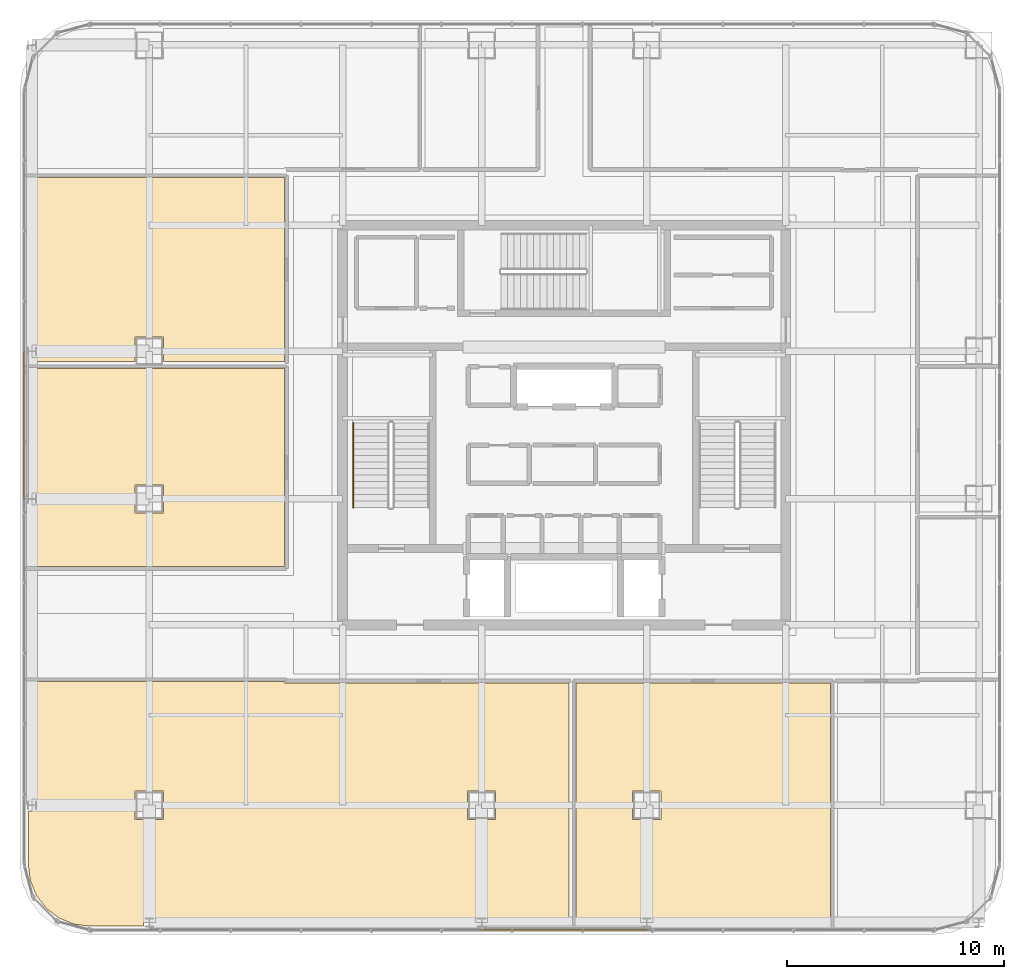
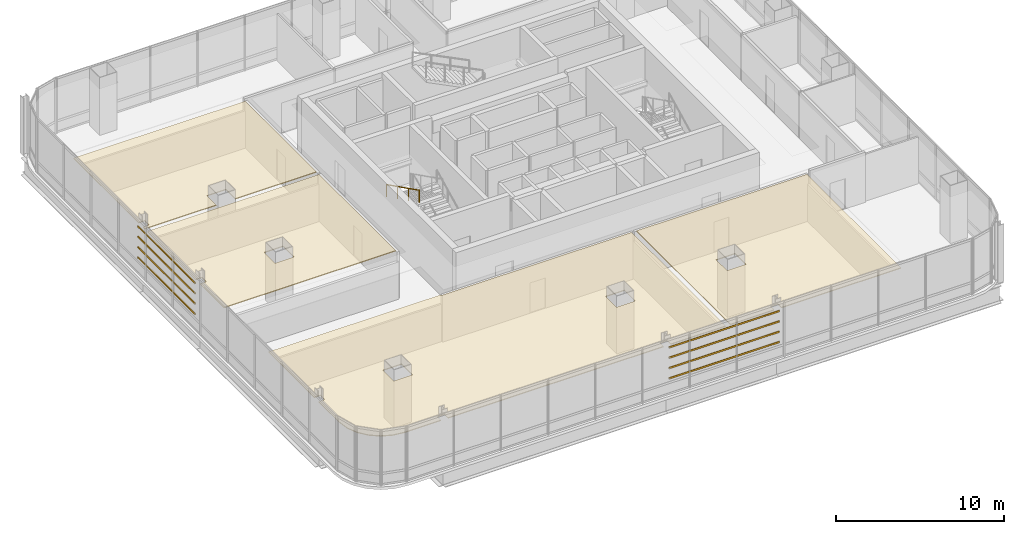
# One storey, part 39 of 43: 8 shading devices, 4 coverings, 1 railing.
"""IFC4 building model written with IfcOpenShell, lengths in metres."""

from ifc_helpers import new_model, si_unit, direction, frame, origin, origin_2d, place, context, subcontext, project, spatial, polyline, hollow_rectangle, circle, outline, extrude, material, layer, layer_set, material_profile, profile_set, type_object, element, save


model = new_model("IFC4")

# Units and contexts
model_context = context("Model", 3, precision=1e-05, world=origin(), true_north=direction((0.0, 1.0)))
body_context = subcontext(model_context, "Body", "Model", "MODEL_VIEW")
ifc_project = project(units=[si_unit("LENGTHUNIT", "METRE"), si_unit("AREAUNIT", "SQUARE_METRE"), si_unit("VOLUMEUNIT", "CUBIC_METRE"), si_unit("PLANEANGLEUNIT", "RADIAN"), si_unit("MASSUNIT", "GRAM", prefix="KILO")], contexts=[model_context])

# Site, building, storey
site_placement = place(None, origin())
site = spatial("IfcSite", under=ifc_project, at=site_placement, CompositionType="ELEMENT")
building_placement = place(site_placement, origin())
building = spatial("IfcBuilding", under=site, at=building_placement, Name="Punatoya Terracotta Tower", CompositionType="ELEMENT")
storey_placement = place(building_placement, frame((0.0, 0.0, 321.60009765625)))
storey = spatial("IfcBuildingStorey", under=building, at=storey_placement, Name="L76", CompositionType="ELEMENT", Elevation=321.60009765625)

# Coverings
ifc_material_1 = material(Name="Acoustic Mineral Fibre Ceiling")
ifc_layer = layer(ifc_material_1, 0.06005859375)
ifc_layer_set = layer_set([ifc_layer], Name="Acoustic Mineral Fibre Ceiling")
covering_type = type_object("IfcCoveringType", Name="COV-CEIL-60", PredefinedType="CEILING", material=ifc_layer_set)
covering_1_placement = place(storey_placement, frame((0.0, 0.0, 3.389892578125)))
element("IfcCovering", 1, at=covering_1_placement, inside=storey, type_object=covering_type, Name="L76 Open Workplace Studio Acoustic Ceiling", PredefinedType="CEILING", context=body_context, shape_type="SweptSolid", body=[
    extrude(outline(polyline([(3.547119140625, -22.64208984375), (4.052978515625, -22.64208984375), (4.052978515625, -23.070068359375), (12.256103515625, -23.070068359375), (12.256103515625, -11.8701171875), (0.5380859375, -11.8701171875), (0.5380859375, -23.070068359375), (3.547119140625, -23.070068359375), (3.547119140625, -22.64208984375)]), holes=[polyline([(4.449951171875, -16.85009765625), (4.449951171875, -18.14990234375), (3.14990234375, -18.14990234375), (3.14990234375, -16.85009765625), (4.449951171875, -16.85009765625)])]), origin(), (0.0, 0.0, 1.0), 0.06005859375),
])
covering_2_placement = place(storey_placement, frame((0.0, 0.0, 3.389892578125)))
element("IfcCovering", 2, at=covering_2_placement, inside=storey, type_object=covering_type, Name="L76 Analytical Practice Office Acoustic Ceiling", PredefinedType="CEILING", context=body_context, shape_type="SweptSolid", body=[
    extrude(outline(polyline([(-12.8701171875, -11.8701171875), (-12.8701171875, -11.81005859375), (-24.669921875, -11.81005859375), (-24.669921875, -17.241943359375), (-24.2470703125, -17.241943359375), (-24.2470703125, -17.758056640625), (-24.669921875, -17.758056640625), (-24.669921875, -20.22509765625), (-24.57080078125, -20.97900390625), (-24.289306640625, -21.658203125), (-23.841796875, -22.24169921875), (-23.25830078125, -22.689453125), (-22.5791015625, -22.970703125), (-21.8251953125, -23.070068359375), (-19.35302734375, -23.070068359375), (-19.35302734375, -22.64208984375), (-18.846923828125, -22.64208984375), (-18.846923828125, -23.070068359375), (-4.052978515625, -23.070068359375), (-4.052978515625, -22.64208984375), (-3.547119140625, -22.64208984375), (-3.547119140625, -23.070068359375), (0.218017578125, -23.070068359375), (0.218017578125, -11.8701171875), (-12.8701171875, -11.8701171875)]), holes=[polyline([(-4.449951171875, -16.85009765625), (-3.14990234375, -16.85009765625), (-3.14990234375, -18.14990234375), (-4.449951171875, -18.14990234375), (-4.449951171875, -16.85009765625)]), polyline([(-19.75, -18.14990234375), (-19.75, -16.85009765625), (-18.449951171875, -16.85009765625), (-18.449951171875, -18.14990234375), (-19.75, -18.14990234375)])]), origin(), (0.0, 0.0, 1.0), 0.06005859375),
])
covering_3_placement = place(storey_placement, frame((0.0, 0.0, 3.389892578125)))
element("IfcCovering", 3, at=covering_3_placement, inside=storey, type_object=covering_type, Name="L76 Open-Plan Digital Reference Library Acoustic Ceiling", PredefinedType="CEILING", context=body_context, shape_type="SweptSolid", body=[
    extrude(outline(polyline([(-24.669921875, -6.5), (-12.8701171875, -6.5), (-12.8701171875, 2.612060546875), (-24.669921875, 2.612060546875), (-24.669921875, -3.14208984375), (-24.2470703125, -3.14208984375), (-24.2470703125, -3.657958984375), (-24.669921875, -3.657958984375), (-24.669921875, -6.5)]), holes=[polyline([(-18.449951171875, -4.050048828125), (-19.75, -4.050048828125), (-19.75, -2.75), (-18.449951171875, -2.75), (-18.449951171875, -4.050048828125)])]), origin(), (0.0, 0.0, 1.0), 0.06005859375),
])
covering_4_placement = place(storey_placement, frame((0.0, 0.0, 3.389892578125)))
element("IfcCovering", 4, at=covering_4_placement, inside=storey, type_object=covering_type, Name="L76 Open-Plan Wellness Quiet Room Acoustic Ceiling", PredefinedType="CEILING", context=body_context, shape_type="SweptSolid", body=[
    extrude(outline(polyline([(-12.8701171875, 2.931884765625), (-12.8701171875, 11.389892578125), (-24.669921875, 11.389892578125), (-24.669921875, 3.657958984375), (-24.2470703125, 3.657958984375), (-24.2470703125, 3.14208984375), (-24.669921875, 3.14208984375), (-24.669921875, 2.931884765625), (-19.75, 2.931884765625), (-19.75, 4.050048828125), (-18.449951171875, 4.050048828125), (-18.449951171875, 2.931884765625), (-12.8701171875, 2.931884765625)])), origin(), (0.0, 0.0, 1.0), 0.06005859375),
])

# Railing
ifc_material_2 = material(Name="Steel S355", Category="steel")
railing_type = type_object("IfcRailingType", Name="RLG-HND-900", PredefinedType="HANDRAIL", material=ifc_material_2)
railing_placement = place(storey_placement, frame((-9.699951171875, 0.10009765625, 2.25)))
element("IfcRailing", 5, at=railing_placement, inside=storey, type_object=railing_type, Name="L76 ST-1 stair handrail 2", PredefinedType="HANDRAIL", context=body_context, shape_type="SweptSolid", body=[
    extrude(circle(Radius=0.02392578125, at=origin_2d()), frame((0.0, 0.0, 0.8759765625), z_axis=(0.0, -0.894438388696, 0.447191199406), x_axis=(1.0, 0.0, 0.0)), (0.0, 0.0, 1.0), 4.3603515625),
    extrude(circle(Radius=0.02099609375, at=origin_2d()), origin(), (0.0, 0.0, 1.0), 0.851806640625),
    extrude(circle(Radius=0.02099609375, at=origin_2d()), frame((0.0, -1.300048828125, 0.64990234375)), (0.0, 0.0, 1.0), 0.851806640625),
    extrude(circle(Radius=0.02099609375, at=origin_2d()), frame((0.0, -2.60009765625, 1.300048828125)), (0.0, 0.0, 1.0), 0.851806640625),
    extrude(circle(Radius=0.02099609375, at=origin_2d()), frame((0.0, -3.900146484375, 1.949951171875)), (0.0, 0.0, 1.0), 0.851806640625),
])

# Shading devices
ifc_material_3 = material(Name="Architectural Fired Terracotta", Category="masonry")
ifc_material_profile = material_profile(ifc_material_3, hollow_rectangle(XDim=0.06494140625, YDim=0.1201171875, WallThickness=0.014892578125, at=origin_2d()))
ifc_profile_set = profile_set([ifc_material_profile], Name="Architectural Fired Terracotta")
shading_device_type = type_object("IfcShadingDeviceType", Name="SHD-BAG-120", PredefinedType="USERDEFINED", material=ifc_profile_set)
for number, where, z_axis, x_axis, name in (
    (6, (-3.800048828125, -23.248046875, 1.14990234375), (1.0, 0.0, 0.0), (0.0, 1.0, 0.0), "L76 Fired Terracotta Baguette Louvre BAG-L76-S-01"),
    (7, (-3.800048828125, -23.248046875, 1.89990234375), (1.0, 0.0, 0.0), (0.0, 1.0, 0.0), "L76 Fired Terracotta Baguette Louvre BAG-L76-S-02"),
    (8, (-3.800048828125, -23.248046875, 2.64990234375), (1.0, 0.0, 0.0), (0.0, 1.0, 0.0), "L76 Fired Terracotta Baguette Louvre BAG-L76-S-03"),
    (9, (-3.800048828125, -23.248046875, 3.39990234375), (1.0, 0.0, 0.0), (0.0, 1.0, 0.0), "L76 Fired Terracotta Baguette Louvre BAG-L76-S-04"),
):
    element("IfcShadingDevice", number, at=place(storey_placement, frame(where, z_axis=z_axis, x_axis=x_axis)), inside=storey, type_object=shading_device_type, Name=name, ObjectType="BAGUETTE", PredefinedType="USERDEFINED", context=body_context, shape_type="SweptSolid", body=[
        extrude(hollow_rectangle(XDim=0.06494140625, YDim=0.1201171875, WallThickness=0.014892578125, at=origin_2d()), origin(), (0.0, 0.0, 1.0), 7.60009765625),
    ])
for number, where, z_axis, x_axis, name in (
    (10, (-24.847900390625, -3.39990234375, 1.14990234375), (0.0, 1.0, 0.0), (-1.0, 0.0, 0.0), "L76 Fired Terracotta Baguette Louvre BAG-L76-W-01"),
    (11, (-24.847900390625, -3.39990234375, 1.89990234375), (0.0, 1.0, 0.0), (-1.0, 0.0, 0.0), "L76 Fired Terracotta Baguette Louvre BAG-L76-W-02"),
    (12, (-24.847900390625, -3.39990234375, 2.64990234375), (0.0, 1.0, 0.0), (-1.0, 0.0, 0.0), "L76 Fired Terracotta Baguette Louvre BAG-L76-W-03"),
    (13, (-24.847900390625, -3.39990234375, 3.39990234375), (0.0, 1.0, 0.0), (-1.0, 0.0, 0.0), "L76 Fired Terracotta Baguette Louvre BAG-L76-W-04"),
):
    element("IfcShadingDevice", number, at=place(storey_placement, frame(where, z_axis=z_axis, x_axis=x_axis)), inside=storey, type_object=shading_device_type, Name=name, ObjectType="BAGUETTE", PredefinedType="USERDEFINED", context=body_context, shape_type="SweptSolid", body=[
        extrude(hollow_rectangle(XDim=0.06494140625, YDim=0.1201171875, WallThickness=0.014892578125, at=origin_2d()), origin(), (0.0, 0.0, 1.0), 6.7998046875),
    ])

save(model, "model.ifc")
